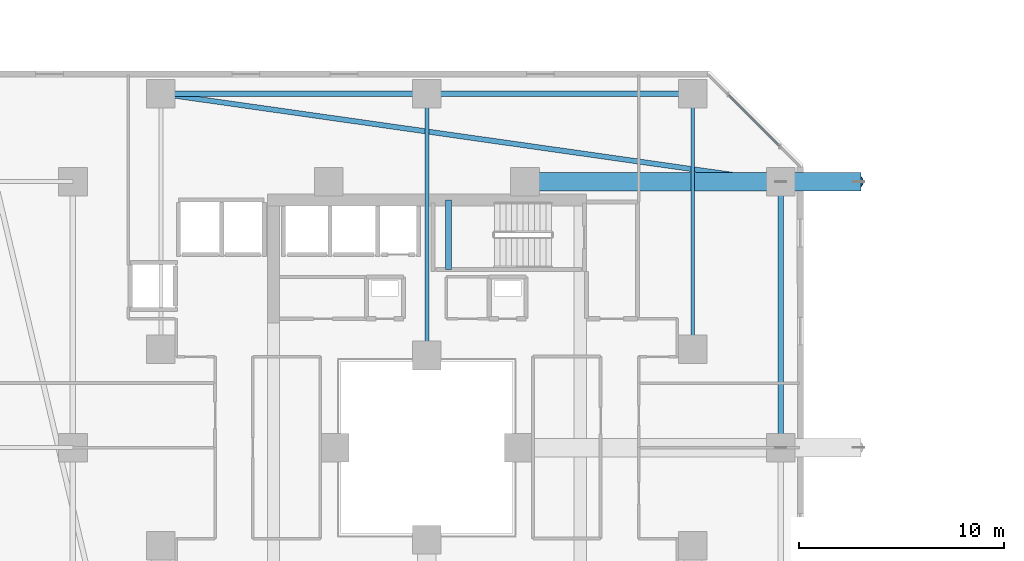
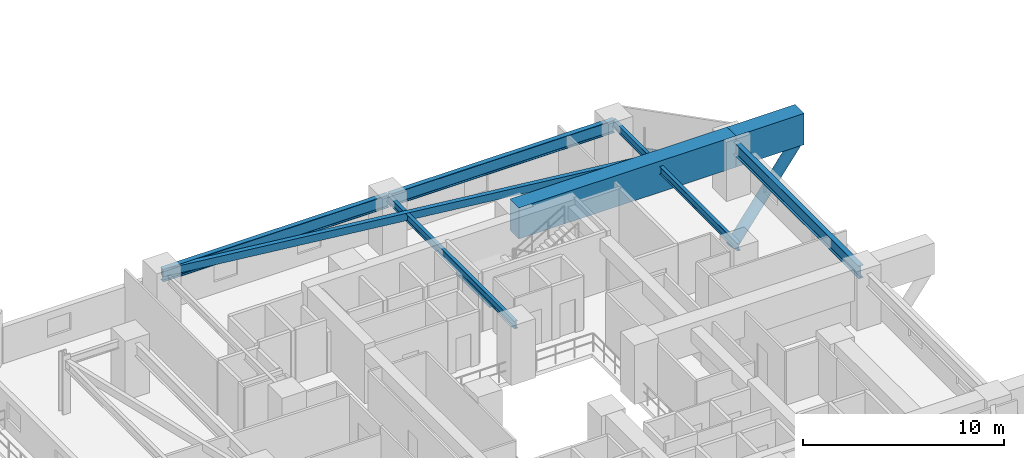
# One storey, part 8 of 36: 9 beams, 2 members, 1 element without a shape of its own.
"""IFC4 building model written with IfcOpenShell, lengths in metres."""

from ifc_helpers import new_model, si_unit, direction, frame, origin, origin_2d, place, context, subcontext, project, spatial, rectangle, hollow_rectangle, hollow_circle, i_section, extrude, material, material_profile, profile_set, type_object, element, aggregate, save


model = new_model("IFC4")

# Units and contexts
model_context = context("Model", 3, precision=1e-05, world=origin(), true_north=direction((0.0, 1.0)))
body_context = subcontext(model_context, "Body", "Model", "MODEL_VIEW")
ifc_project = project(units=[si_unit("LENGTHUNIT", "METRE"), si_unit("AREAUNIT", "SQUARE_METRE"), si_unit("VOLUMEUNIT", "CUBIC_METRE"), si_unit("PLANEANGLEUNIT", "RADIAN"), si_unit("MASSUNIT", "GRAM", prefix="KILO")], contexts=[model_context])

# Site, building, storey
site_placement = place(None, origin())
site = spatial("IfcSite", under=ifc_project, at=site_placement, CompositionType="ELEMENT")
building_placement = place(site_placement, origin())
building = spatial("IfcBuilding", under=site, at=building_placement, Name="Thornwick Lancets Civic Towers", CompositionType="ELEMENT")
storey_placement = place(building_placement, frame((0.0, 0.0, 45.89990234375)))
storey = spatial("IfcBuildingStorey", under=building, at=storey_placement, Name="L11", CompositionType="ELEMENT", Elevation=45.89990234375)

# Beams
ifc_material_1 = material(Name="Steel S355JR", Category="steel")
ifc_material_profile_1 = material_profile(ifc_material_1, i_section(OverallWidth=0.26806640625, OverallDepth=0.769775390625, WebThickness=0.015625, FlangeThickness=0.025390625, FilletRadius=0.0166015625, at=origin_2d()), Name="UKB 762x267x197")
ifc_profile_set_1 = profile_set([ifc_material_profile_1], Name="Steel S355JR")
beam_type_1 = type_object("IfcBeamType", Name="BM_GIRD_762_197", PredefinedType="BEAM", material=ifc_profile_set_1)
beam_1_placement = place(storey_placement, frame((42.800048828125, 27.080078125, 2.895263671875), z_axis=(0.0, 1.0, 0.0), x_axis=(-1.0, 0.0, 0.0)))
element("IfcBeam", 1, at=beam_1_placement, inside=storey, type_object=beam_type_1, Name="BM-SPINE-L11-A-4-5", PredefinedType="BEAM", context=body_context, shape_type="SweptSolid", body=[
    extrude(i_section(OverallWidth=0.26806640625, OverallDepth=0.769775390625, WebThickness=0.015625, FlangeThickness=0.025390625, FilletRadius=0.0166015625, at=origin_2d()), origin(), (0.0, 0.0, 1.0), 12.919921875),
])
beam_2_placement = place(storey_placement, frame((12.5, 44.300048828125, 2.895263671875), z_axis=(1.0, 0.0, 0.0), x_axis=(0.0, 1.0, 0.0)))
element("IfcBeam", 2, at=beam_2_placement, inside=storey, type_object=beam_type_1, Name="BM-SPINE-L11-A-6-7", PredefinedType="BEAM", context=body_context, shape_type="SweptSolid", body=[
    extrude(i_section(OverallWidth=0.26806640625, OverallDepth=0.769775390625, WebThickness=0.015625, FlangeThickness=0.025390625, FilletRadius=0.0166015625, at=origin_2d()), origin(), (0.0, 0.0, 1.0), 13.0),
])
beam_3_placement = place(storey_placement, frame((25.580078125, 44.300048828125, 2.895263671875), z_axis=(1.0, 0.0, 0.0), x_axis=(0.0, 1.0, 0.0)))
element("IfcBeam", 3, at=beam_3_placement, inside=storey, type_object=beam_type_1, Name="BM-SPINE-L11-A-7-8", PredefinedType="BEAM", context=body_context, shape_type="SweptSolid", body=[
    extrude(i_section(OverallWidth=0.26806640625, OverallDepth=0.769775390625, WebThickness=0.015625, FlangeThickness=0.025390625, FilletRadius=0.0166015625, at=origin_2d()), origin(), (0.0, 0.0, 1.0), 12.919921875),
])
ifc_material_profile_2 = material_profile(ifc_material_1, i_section(OverallWidth=0.19189453125, OverallDepth=0.46337890625, WebThickness=0.010498046875, FlangeThickness=0.017578125, FilletRadius=0.01025390625, at=origin_2d()), Name="UKB 457x191x89")
ifc_profile_set_2 = profile_set([ifc_material_profile_2], Name="Steel S355JR")
beam_type_2 = type_object("IfcBeamType", Name="BM_JOIST_457_89", PredefinedType="JOIST", material=ifc_profile_set_2)
beam_4_placement = place(storey_placement, frame((25.5, 31.5, 3.04833984375), z_axis=(0.0, 1.0, 0.0), x_axis=(-1.0, 0.0, 0.0)))
element("IfcBeam", 4, at=beam_4_placement, inside=storey, type_object=beam_type_2, Name="BM-RADIN-L11-A08", PredefinedType="JOIST", context=body_context, shape_type="SweptSolid", body=[
    extrude(i_section(OverallWidth=0.19189453125, OverallDepth=0.46337890625, WebThickness=0.010498046875, FlangeThickness=0.017578125, FilletRadius=0.01025390625, at=origin_2d()), origin(), (0.0, 0.0, 1.0), 12.800048828125),
])
beam_5_placement = place(storey_placement, frame((38.5, 31.800048828125, 3.04833984375), z_axis=(0.0, 1.0, 0.0), x_axis=(-1.0, 0.0, 0.0)))
element("IfcBeam", 5, at=beam_5_placement, inside=storey, type_object=beam_type_2, Name="BM-RADIN-L11-A09", PredefinedType="JOIST", context=body_context, shape_type="SweptSolid", body=[
    extrude(i_section(OverallWidth=0.19189453125, OverallDepth=0.46337890625, WebThickness=0.010498046875, FlangeThickness=0.017578125, FilletRadius=0.01025390625, at=origin_2d()), origin(), (0.0, 0.0, 1.0), 12.5),
])
ifc_material_profile_3 = material_profile(ifc_material_1, hollow_rectangle(XDim=0.25, YDim=0.449951171875, WallThickness=0.01611328125, at=origin_2d()), Name="RHS 450x250x16")
ifc_profile_set_3 = profile_set([ifc_material_profile_3], Name="Steel S355JR")
beam_type_3 = type_object("IfcBeamType", Name="BM_RING_RHS450", PredefinedType="BEAM", material=ifc_profile_set_3)
beam_6_placement = place(storey_placement, frame((42.800048828125, 40.0, 3.05517578125), z_axis=(-0.990079584012, 0.140507712682, 0.0), x_axis=(-0.140507712682, -0.990079584012, 0.0)))
element("IfcBeam", 6, at=beam_6_placement, inside=storey, type_object=beam_type_3, Name="BM-CHAMF-L11-A-C1", PredefinedType="BEAM", context=body_context, shape_type="SweptSolid", body=[
    extrude(hollow_rectangle(XDim=0.25, YDim=0.449951171875, WallThickness=0.01611328125, at=origin_2d()), origin(), (0.0, 0.0, 1.0), 30.603759765625),
])
ifc_material_2 = material(Name="Concrete C40/50", Category="concrete")
ifc_material_profile_4 = material_profile(ifc_material_2, rectangle(XDim=0.300048828125, YDim=0.35009765625, at=origin_2d()), Name="RC 300x350")
ifc_profile_set_4 = profile_set([ifc_material_profile_4], Name="Concrete C40/50")
beam_type_4 = type_object("IfcBeamType", Name="BM_STAIR_LDG", PredefinedType="BEAM", material=ifc_profile_set_4)
beam_7_placement = place(storey_placement, frame((26.56494140625, 39.10009765625, 1.378173828125), z_axis=(0.0, -1.0, 0.0), x_axis=(1.0, 0.0, 0.0)))
element("IfcBeam", 7, at=beam_7_placement, inside=storey, type_object=beam_type_4, Name="L11 ST-A2 Landing Support Beam 1", PredefinedType="BEAM", context=body_context, shape_type="SweptSolid", body=[
    extrude(rectangle(XDim=0.300048828125, YDim=0.35009765625, at=origin_2d()), origin(), (0.0, 0.0, 1.0), 3.400146484375),
])
ifc_material_3 = material(Name="Concrete C60/75", Category="concrete")
ifc_material_profile_5 = material_profile(ifc_material_3, rectangle(XDim=0.89990234375, YDim=1.89990234375, at=origin_2d()), Name="RC 900x1900")
ifc_profile_set_5 = profile_set([ifc_material_profile_5], Name="Concrete C60/75")
beam_type_5 = type_object("IfcBeamType", Name="BM_TR_RC1900", PredefinedType="BEAM", material=ifc_profile_set_5)
beam_8_placement = place(storey_placement, frame((30.300048828125, 40.0, 2.650146484375), z_axis=(1.0, 0.0, 0.0), x_axis=(0.0, 1.0, 0.0)))
element("IfcBeam", 8, at=beam_8_placement, inside=storey, type_object=beam_type_5, Name="TG-BACK-L12-A06", PredefinedType="BEAM", context=body_context, shape_type="SweptSolid", body=[
    extrude(rectangle(XDim=0.89990234375, YDim=1.89990234375, at=origin_2d()), origin(), (0.0, 0.0, 1.0), 12.5),
])
beam_9_placement = place(storey_placement, frame((42.800048828125, 40.0, 2.650146484375), z_axis=(1.0, 0.0, 0.0), x_axis=(0.0, 1.0, 0.0)))
element("IfcBeam", 9, at=beam_9_placement, inside=storey, type_object=beam_type_5, Name="TG-CANT-L12-A06", PredefinedType="BEAM", context=body_context, shape_type="SweptSolid", body=[
    extrude(rectangle(XDim=0.89990234375, YDim=1.89990234375, at=origin_2d()), origin(), (0.0, 0.0, 1.0), 3.919921875),
])

# Curtain wall, member
ifc_material_4 = material(Name="Low-zone chamfered-corner unitised glass curtain wall", Category="glass")
curtain_wall_type = type_object("IfcCurtainWallType", Name="CW_SYS_03", PredefinedType="NOTDEFINED", material=ifc_material_4)
curtain_wall_placement = place(storey_placement, origin())
curtain_wall = element("IfcCurtainWall", 10, at=curtain_wall_placement, inside=storey, type_object=curtain_wall_type, Name="L11 Curtain Wall CW-L11-A-E3", PredefinedType="NOTDEFINED")
ifc_material_5 = material(Name="Thermally broken bronze aluminium S355", Category="steel")
ifc_material_profile_6 = material_profile(ifc_material_5, hollow_rectangle(XDim=0.074951171875, YDim=0.14990234375, WallThickness=0.0048828125, at=origin_2d()), Name="RHS 150x75x5")
ifc_profile_set_6 = profile_set([ifc_material_profile_6], Name="Thermally broken bronze aluminium S355")
member_type_1 = type_object("IfcMemberType", Name="CW_TRN_150", PredefinedType="USERDEFINED", material=ifc_profile_set_6)
member_1_placement = place(storey_placement, frame((42.74365234375, 41.739501953125, 0.85009765625), z_axis=(-0.707106781187, 0.707106781187, 0.0), x_axis=(-0.707106781187, -0.707106781187, 0.0)))
member_1 = element("IfcMember", 11, at=member_1_placement, type_object=member_type_1, Name="CW-L11-A-E3 Transom 0", ObjectType="TRANSOM", PredefinedType="USERDEFINED", context=body_context, shape_type="SweptSolid", body=[
    extrude(hollow_rectangle(XDim=0.074951171875, YDim=0.14990234375, WallThickness=0.0048828125, at=origin_2d()), origin(), (0.0, 0.0, 1.0), 3.54150390625),
])
aggregate(curtain_wall, [member_1])

# Member
ifc_material_6 = material(Name="Steel S460M", Category="steel")
ifc_material_profile_7 = material_profile(ifc_material_6, hollow_circle(Radius=0.304931640625, WallThickness=0.030029296875, at=origin_2d()), Name="CHS 610x30")
ifc_profile_set_7 = profile_set([ifc_material_profile_7], Name="Steel S460M")
member_type_2 = type_object("IfcMemberType", Name="MEM_STRUT_CHS610", PredefinedType="STRUT", material=ifc_profile_set_7)
member_2_placement = place(storey_placement, frame((42.800048828125, 40.0, -3.349853515625), z_axis=(0.595241268987, 0.0, 0.803547031414), x_axis=(0.0, 1.0, 0.0)))
element("IfcMember", 12, at=member_2_placement, inside=storey, type_object=member_type_2, Name="L12 Jenga Transfer Raking Strut A06", PredefinedType="STRUT", context=body_context, shape_type="SweptSolid", body=[
    extrude(hollow_circle(Radius=0.304931640625, WallThickness=0.030029296875, at=origin_2d()), origin(), (0.0, 0.0, 1.0), 6.384033203125),
])

save(model, "model.ifc")
